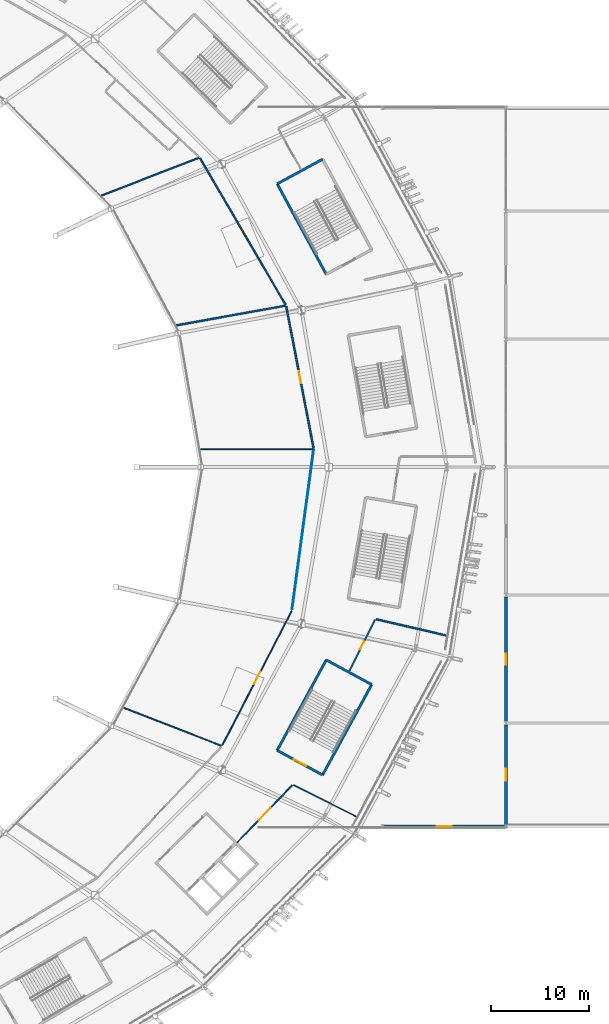
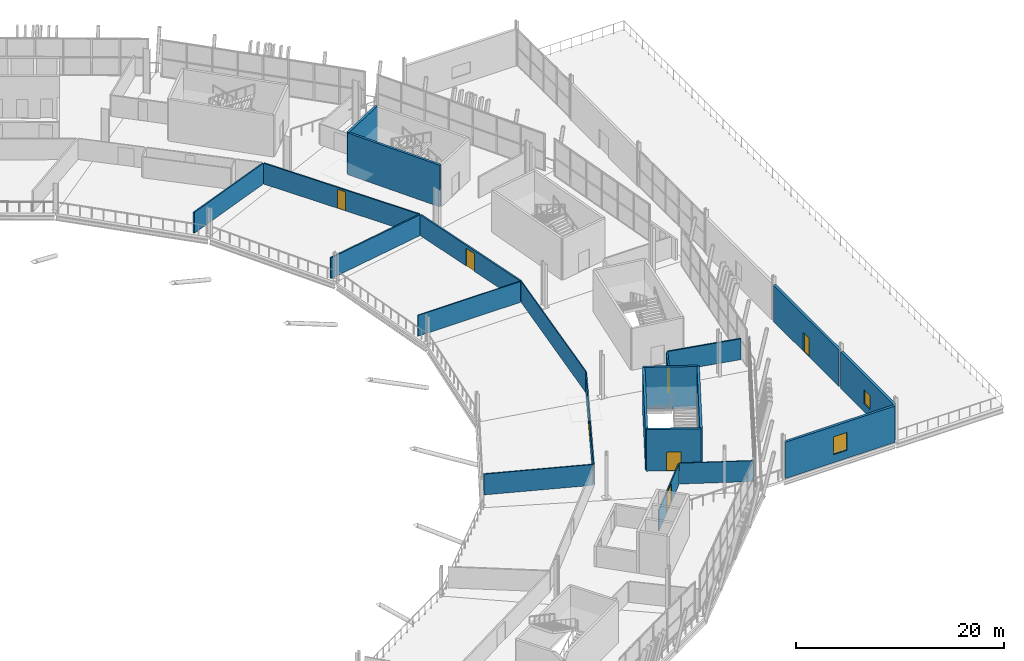
# One storey, part 122 of 168: 21 walls, 7 doors, 2 windows, 9 openings.
"""IFC4 building model written with IfcOpenShell, lengths in metres."""

from ifc_helpers import new_model, si_unit, direction, frame, frame_2d, origin, place, context, subcontext, project, spatial, rectangle, extrude, material, layer, layer_set, type_object, element, fill, save


model = new_model("IFC4")

# Units and contexts
model_context = context("Model", 3, precision=1e-05, world=origin(), true_north=direction((0.0, 1.0)))
body_context = subcontext(model_context, "Body", "Model", "MODEL_VIEW")
ifc_project = project(units=[si_unit("LENGTHUNIT", "METRE"), si_unit("AREAUNIT", "SQUARE_METRE"), si_unit("VOLUMEUNIT", "CUBIC_METRE"), si_unit("PLANEANGLEUNIT", "RADIAN"), si_unit("MASSUNIT", "GRAM", prefix="KILO")], contexts=[model_context])

# Site, building, storey
site_placement = place(None, origin())
site = spatial("IfcSite", under=ifc_project, at=site_placement, CompositionType="ELEMENT")
building_placement = place(site_placement, origin())
building = spatial("IfcBuilding", under=site, at=building_placement, Name="Zlatoyarsky Gate Stadium", CompositionType="ELEMENT")
storey_placement = place(building_placement, frame((0.0, 0.0, 15.60009765625)))
storey = spatial("IfcBuildingStorey", under=building, at=storey_placement, Name="L03", CompositionType="ELEMENT", Elevation=15.60009765625)

# Wall, opening, door
ifc_material_1 = material(Name="Double-stud acoustic gypsum partition", Category="gypsum")
ifc_layer_1 = layer(ifc_material_1, 0.169921875)
ifc_layer_set_1 = layer_set([ifc_layer_1], Name="Double-stud acoustic gypsum partition")
wall_type_1 = type_object("IfcWallType", Name="ACOUSTIC BROADCAST STUDIO WALL 170", PredefinedType="PARTITIONING", material=ifc_layer_set_1)
wall_1_placement = place(storey_placement, frame((190.46728515625, 81.90625, 0.0), z_axis=(0.0, 0.0, 1.0), x_axis=(-0.189225499552, 0.981933658818, 0.0)))
wall_1 = element("IfcWall", 1, at=wall_1_placement, inside=storey, type_object=wall_type_1, Name="L03 interior partition PRT-L03-ICC-00", PredefinedType="PARTITIONING", context=body_context, shape_type="SweptSolid", body=[
    extrude(rectangle(XDim=14.679931640625, YDim=0.169921875, at=frame_2d((7.33984375, 0.0))), origin(), (0.0, 0.0, 1.0), 2.449951171875),
])
opening_1_placement = place(wall_1_placement, frame((6.719970703125, 0.0, 0.0)))
opening_1 = element("IfcOpeningElement", 2, at=opening_1_placement, cuts=wall_1, Name="Opening D-L03-390", PredefinedType="OPENING", context=body_context, shape_type="SweptSolid", body=[
    extrude(rectangle(XDim=1.239990234375, YDim=2.10009765625, at=frame_2d((0.6201171875, 1.050048828125))), frame((0.0, 0.094970703125, 0.0), z_axis=(0.0, -1.0, 0.0), x_axis=(1.0, 0.0, 0.0)), (0.0, 0.0, 1.0), 0.18994140625),
])
ifc_material_2 = material(Name="Powder-coated steel fire door", Category="steel")
door_type_1 = type_object("IfcDoorType", Name="ACOUSTIC INTERIOR DOOR 1240X2100", OperationType="NOTDEFINED", PredefinedType="DOOR", material=ifc_material_2)
door_1_placement = place(opening_1_placement, origin())
door_1 = element("IfcDoor", 3, at=door_1_placement, inside=storey, type_object=door_type_1, Name="L03 room door D-L03-390", OperationType="SINGLE_SWING_RIGHT", OverallHeight=2.10009765625, OverallWidth=1.239990234375, PredefinedType="DOOR", context=body_context, shape_type="SweptSolid", body=[
    extrude(rectangle(XDim=1.239990234375, YDim=2.10009765625, at=frame_2d((0.6201171875, 1.050048828125))), frame((0.0, 0.02490234375, 0.0), z_axis=(0.0, -1.0, 0.0), x_axis=(1.0, 0.0, 0.0)), (0.0, 0.0, 1.0), 0.050048828125),
])
fill(opening_1, door_1)

wall_2_placement = place(storey_placement, frame((194.10205078125, 59.2939453125, 0.0), z_axis=(0.0, 0.0, 1.0), x_axis=(0.44637403409, 0.894846479397, 0.0)))
wall_2 = element("IfcWall", 4, at=wall_2_placement, inside=storey, type_object=wall_type_1, Name="L03 interior partition PRT-L03-OCC-22-1", PredefinedType="PARTITIONING", context=body_context, shape_type="SweptSolid", body=[
    extrude(rectangle(XDim=5.8173828125, YDim=0.169921875, at=frame_2d((2.90869140625, 0.0))), origin(), (0.0, 0.0, 1.0), 2.449951171875),
])
opening_2_placement = place(wall_2_placement, frame((2.458740234375, 0.0, 0.0)))
opening_2 = element("IfcOpeningElement", 5, at=opening_2_placement, cuts=wall_2, Name="Opening D-L03-490", PredefinedType="OPENING", context=body_context, shape_type="SweptSolid", body=[
    extrude(rectangle(XDim=0.89990234375, YDim=2.239990234375, at=frame_2d((0.449951171875, 1.1201171875))), frame((0.0, 0.094970703125, 0.0), z_axis=(0.0, -1.0, 0.0), x_axis=(1.0, 0.0, 0.0)), (0.0, 0.0, 1.0), 0.18994140625),
])
door_type_2 = type_object("IfcDoorType", Name="ACOUSTIC INTERIOR DOOR 900X2240", OperationType="NOTDEFINED", PredefinedType="DOOR", material=ifc_material_2)
door_2_placement = place(opening_2_placement, origin())
door_2 = element("IfcDoor", 6, at=door_2_placement, inside=storey, type_object=door_type_2, Name="L03 room door D-L03-490", OperationType="SINGLE_SWING_RIGHT", OverallHeight=2.239990234375, OverallWidth=0.89990234375, PredefinedType="DOOR", context=body_context, shape_type="SweptSolid", body=[
    extrude(rectangle(XDim=0.89990234375, YDim=2.239990234375, at=frame_2d((0.449951171875, 1.1201171875))), frame((0.0, 0.02490234375, 0.0), z_axis=(0.0, -1.0, 0.0), x_axis=(1.0, 0.0, 0.0)), (0.0, 0.0, 1.0), 0.050048828125),
])
fill(opening_2, door_2)

# Wall
ifc_material_3 = material(Name="Anodised aluminium acoustic operable wall", Category="aluminium")
ifc_layer_2 = layer(ifc_material_3, 0.114990234375)
ifc_layer_set_2 = layer_set([ifc_layer_2], Name="Anodised aluminium acoustic operable wall")
wall_type_2 = type_object("IfcWallType", Name="ACOUSTIC OPERABLE SUITE WALL 115", PredefinedType="MOVABLE", material=ifc_layer_set_2)
wall_3_placement = place(storey_placement, frame((178.954345703125, 81.82373046875, 0.0), z_axis=(0.0, 0.0, 1.0), x_axis=(0.999999996359, -8.5333333e-05, 0.0)))
element("IfcWall", 7, at=wall_3_placement, inside=storey, type_object=wall_type_2, Name="L03 interior partition PRT-L03-IRD-00", PredefinedType="MOVABLE", context=body_context, shape_type="SweptSolid", body=[
    extrude(rectangle(XDim=11.444091796875, YDim=0.114990234375, at=frame_2d((5.72216796875, 0.0))), origin(), (0.0, 0.0, 1.0), 2.449951171875),
])

# Wall, opening, door
wall_4_placement = place(storey_placement, frame((182.705078125, 41.881103515625, 0.0), z_axis=(0.0, 0.0, 1.0), x_axis=(0.692855454803, 0.721076499928, 0.0)))
wall_4 = element("IfcWall", 8, at=wall_4_placement, inside=storey, type_object=wall_type_2, Name="L03 interior partition PRT-L03-OCC-21-1", PredefinedType="MOVABLE", context=body_context, shape_type="SweptSolid", body=[
    extrude(rectangle(XDim=8.05419921875, YDim=0.114990234375, at=frame_2d((4.027099609375, 0.0))), origin(), (0.0, 0.0, 1.0), 2.449951171875),
])
opening_3_placement = place(wall_4_placement, frame((3.18701171875, 0.0, 0.0)))
opening_3 = element("IfcOpeningElement", 9, at=opening_3_placement, cuts=wall_4, Name="Opening D-L03-488", PredefinedType="OPENING", context=body_context, shape_type="SweptSolid", body=[
    extrude(rectangle(XDim=1.679931640625, YDim=2.239990234375, at=frame_2d((0.83984375, 1.1201171875))), frame((0.0, 0.0673828125, 0.0), z_axis=(0.0, -1.0, 0.0), x_axis=(1.0, 0.0, 0.0)), (0.0, 0.0, 1.0), 0.135009765625),
])
ifc_material_4 = material(Name="Solid-core oak veneer acoustic door", Category="wood")
door_type_3 = type_object("IfcDoorType", Name="ACOUSTIC INTERIOR DOOR 1680X2240", OperationType="NOTDEFINED", PredefinedType="DOOR", material=ifc_material_4)
door_3_placement = place(opening_3_placement, origin())
door_3 = element("IfcDoor", 10, at=door_3_placement, inside=storey, type_object=door_type_3, Name="L03 room door D-L03-488", OperationType="SINGLE_SWING_LEFT", OverallHeight=2.239990234375, OverallWidth=1.679931640625, PredefinedType="DOOR", context=body_context, shape_type="SweptSolid", body=[
    extrude(rectangle(XDim=1.679931640625, YDim=2.239990234375, at=frame_2d((0.83984375, 1.1201171875))), frame((0.0, 0.02490234375, 0.0), z_axis=(0.0, -1.0, 0.0), x_axis=(1.0, 0.0, 0.0)), (0.0, 0.0, 1.0), 0.050048828125),
])
fill(opening_3, door_3)

# Wall
ifc_material_5 = material(Name="Moisture-resistant masonry partition", Category="masonry")
ifc_layer_3 = layer(ifc_material_5, 0.139892578125)
ifc_layer_set_3 = layer_set([ifc_layer_3], Name="Moisture-resistant masonry partition")
wall_type_3 = type_object("IfcWallType", Name="ATHLETE CHANGING BLOCK PARTITION 140", PredefinedType="PARTITIONING", material=ifc_layer_set_3)
wall_5_placement = place(storey_placement, frame((168.927001953125, 107.576904296875, 0.0), z_axis=(0.0, 0.0, 1.0), x_axis=(0.932330284632, 0.361607854393, 0.0)))
element("IfcWall", 11, at=wall_5_placement, inside=storey, type_object=wall_type_3, Name="L03 interior partition PRT-L03-IRD-02", PredefinedType="PARTITIONING", context=body_context, shape_type="SweptSolid", body=[
    extrude(rectangle(XDim=10.611328125, YDim=0.139892578125, at=frame_2d((5.3056640625, 0.0))), origin(), (0.0, 0.0, 1.0), 2.449951171875),
])

# Wall, opening, door
ifc_material_6 = material(Name="Metal-stud gypsum partition", Category="gypsum")
ifc_layer_4 = layer(ifc_material_6, 0.14990234375)
ifc_layer_set_4 = layer_set([ifc_layer_4], Name="Metal-stud gypsum partition")
wall_type_4 = type_object("IfcWallType", Name="CONCOURSE CORRIDOR PARTITION 150", PredefinedType="PARTITIONING", material=ifc_layer_set_4)
wall_6_placement = place(storey_placement, frame((187.630615234375, 96.477783203125, 0.0), z_axis=(0.0, 0.0, 1.0), x_axis=(-0.50388511134, 0.863770684019, 0.0)))
wall_6 = element("IfcWall", 12, at=wall_6_placement, inside=storey, type_object=wall_type_4, Name="L03 interior partition PRT-L03-ICC-01", PredefinedType="PARTITIONING", context=body_context, shape_type="SweptSolid", body=[
    extrude(rectangle(XDim=17.242431640625, YDim=0.14990234375, at=frame_2d((8.62109375, 0.0))), origin(), (0.0, 0.0, 1.0), 2.449951171875),
])
opening_4_placement = place(wall_6_placement, frame((8.171142578125, 0.0, 0.0)))
opening_4 = element("IfcOpeningElement", 13, at=opening_4_placement, cuts=wall_6, Name="Opening D-L03-392", PredefinedType="OPENING", context=body_context, shape_type="SweptSolid", body=[
    extrude(rectangle(XDim=0.89990234375, YDim=2.239990234375, at=frame_2d((0.449951171875, 1.1201171875))), frame((0.0, 0.0849609375, 0.0), z_axis=(0.0, -1.0, 0.0), x_axis=(1.0, 0.0, 0.0)), (0.0, 0.0, 1.0), 0.169921875),
])
door_4_placement = place(opening_4_placement, origin())
door_4 = element("IfcDoor", 14, at=door_4_placement, inside=storey, type_object=door_type_2, Name="L03 room door D-L03-392", OperationType="SINGLE_SWING_LEFT", OverallHeight=2.239990234375, OverallWidth=0.89990234375, PredefinedType="DOOR", context=body_context, shape_type="SweptSolid", body=[
    extrude(rectangle(XDim=0.89990234375, YDim=2.239990234375, at=frame_2d((0.449951171875, 1.1201171875))), frame((0.0, 0.02490234375, 0.0), z_axis=(0.0, -1.0, 0.0), x_axis=(1.0, 0.0, 0.0)), (0.0, 0.0, 1.0), 0.050048828125),
])
fill(opening_4, door_4)

ifc_material_7 = material(Name="Concrete C40/50", Category="concrete")
ifc_layer_5 = layer(ifc_material_7, 0.25)
ifc_layer_set_5 = layer_set([ifc_layer_5], Name="Concrete C40/50")
wall_type_5 = type_object("IfcWallType", Name="CONCRETE STAIR CORE SHEAR WALL 250", PredefinedType="SHEAR", material=ifc_layer_set_5)
wall_7_placement = place(storey_placement, frame((186.770263671875, 51.235107421875, 0.0), z_axis=(0.0, 0.0, 1.0), x_axis=(0.878941993928, -0.476928685769, 0.0)))
wall_7 = element("IfcWall", 15, at=wall_7_placement, inside=storey, type_object=wall_type_5, Name="ST-12 L03 stair core entrance shear wall", PredefinedType="SHEAR", context=body_context, shape_type="SweptSolid", body=[
    extrude(rectangle(XDim=5.25, YDim=0.25, at=frame_2d((2.625, 0.0))), origin(), (0.0, 0.0, 1.0), 4.89990234375),
])
opening_5_placement = place(wall_7_placement, frame((1.925048828125, 0.0, 0.0)))
opening_5 = element("IfcOpeningElement", 16, at=opening_5_placement, cuts=wall_7, Name="Opening SD-ST-12-L03", PredefinedType="OPENING", context=body_context, shape_type="SweptSolid", body=[
    extrude(rectangle(XDim=1.39990234375, YDim=2.199951171875, at=frame_2d((0.699951171875, 1.10009765625))), frame((0.0, 0.135009765625, 0.0), z_axis=(0.0, -1.0, 0.0), x_axis=(1.0, 0.0, 0.0)), (0.0, 0.0, 1.0), 0.27001953125),
])
door_type_4 = type_object("IfcDoorType", Name="STAIR CORE FIRE EXIT DOOR 1400X2200", OperationType="NOTDEFINED", PredefinedType="DOOR", material=ifc_material_2)
door_5_placement = place(opening_5_placement, frame((1.39990234375, 0.0, 0.0), z_axis=(0.0, 0.0, 1.0), x_axis=(-1.0, 0.0, 0.0)))
door_5 = element("IfcDoor", 17, at=door_5_placement, inside=storey, type_object=door_type_4, Name="ST-12 L03 stair fire door", OperationType="SINGLE_SWING_RIGHT", OverallHeight=2.199951171875, OverallWidth=1.39990234375, PredefinedType="DOOR", context=body_context, shape_type="SweptSolid", body=[
    extrude(rectangle(XDim=1.39990234375, YDim=2.199951171875, at=frame_2d((0.699951171875, 1.10009765625))), frame((0.0, 0.02490234375, 0.0), z_axis=(0.0, -1.0, 0.0), x_axis=(1.0, 0.0, 0.0)), (0.0, 0.0, 1.0), 0.050048828125),
])
fill(opening_5, door_5)

# Walls
wall_8_placement = place(storey_placement, frame((191.384765625, 48.731201171875, 0.0), z_axis=(0.0, 0.0, 1.0), x_axis=(0.476876856974, 0.878970115125, 0.0)))
element("IfcWall", 18, at=wall_8_placement, inside=storey, type_object=wall_type_5, Name="ST-12 L03 stair core left shear wall", PredefinedType="SHEAR", context=body_context, shape_type="SweptSolid", body=[
    extrude(rectangle(XDim=10.4501953125, YDim=0.25, at=frame_2d((5.22509765625, 0.0))), origin(), (0.0, 0.0, 1.0), 4.89990234375),
])
wall_9_placement = place(storey_placement, frame((196.3681640625, 57.91650390625, 0.0), z_axis=(0.0, 0.0, 1.0), x_axis=(-0.878961487093, 0.47689275965, 0.0)))
element("IfcWall", 19, at=wall_9_placement, inside=storey, type_object=wall_type_5, Name="ST-12 L03 stair core far shear wall", PredefinedType="SHEAR", context=body_context, shape_type="SweptSolid", body=[
    extrude(rectangle(XDim=5.25, YDim=0.25, at=frame_2d((2.625, 0.0))), origin(), (0.0, 0.0, 1.0), 4.89990234375),
])
wall_10_placement = place(storey_placement, frame((191.753662109375, 60.420166015625, 0.0), z_axis=(0.0, 0.0, 1.0), x_axis=(-0.476886649814, -0.878964802042, 0.0)))
element("IfcWall", 20, at=wall_10_placement, inside=storey, type_object=wall_type_5, Name="ST-12 L03 stair core right shear wall", PredefinedType="SHEAR", context=body_context, shape_type="SweptSolid", body=[
    extrude(rectangle(XDim=10.449951171875, YDim=0.25, at=frame_2d((5.22509765625, 0.0))), origin(), (0.0, 0.0, 1.0), 4.89990234375),
])
wall_11_placement = place(storey_placement, frame((191.384765625, 111.268798828125, 0.0), z_axis=(0.0, 0.0, 1.0), x_axis=(-0.878961487093, -0.47689275965, 0.0)))
element("IfcWall", 21, at=wall_11_placement, inside=storey, type_object=wall_type_5, Name="ST-13 L03 stair core far shear wall", PredefinedType="SHEAR", context=body_context, shape_type="SweptSolid", body=[
    extrude(rectangle(XDim=5.25, YDim=0.25, at=frame_2d((2.625, 0.0))), origin(), (0.0, 0.0, 1.0), 4.89990234375),
])
wall_12_placement = place(storey_placement, frame((186.770263671875, 108.76513671875, 0.0), z_axis=(0.0, 0.0, 1.0), x_axis=(0.476876856974, -0.878970115125, 0.0)))
element("IfcWall", 22, at=wall_12_placement, inside=storey, type_object=wall_type_5, Name="ST-13 L03 stair core right shear wall", PredefinedType="SHEAR", context=body_context, shape_type="SweptSolid", body=[
    extrude(rectangle(XDim=10.4501953125, YDim=0.25, at=frame_2d((5.22509765625, 0.0))), origin(), (0.0, 0.0, 1.0), 4.89990234375),
])
ifc_material_8 = material(Name="Timber-veneered acoustic operable partition", Category="wood")
ifc_layer_6 = layer(ifc_material_8, 0.094970703125)
ifc_layer_set_6 = layer_set([ifc_layer_6], Name="Timber-veneered acoustic operable partition")
wall_type_6 = type_object("IfcWallType", Name="FOLDING BANQUET SALON WALL 95", PredefinedType="MOVABLE", material=ifc_layer_set_6)
wall_13_placement = place(storey_placement, frame((188.42041015625, 47.7119140625, 0.0), z_axis=(0.0, 0.0, 1.0), x_axis=(0.89392388707, -0.448218790465, 0.0)))
element("IfcWall", 23, at=wall_13_placement, inside=storey, type_object=wall_type_6, Name="L03 interior partition PRT-L03-ORD-21R", PredefinedType="MOVABLE", context=body_context, shape_type="SweptSolid", body=[
    extrude(rectangle(XDim=7.187255859375, YDim=0.094970703125, at=frame_2d((3.59375, 0.0))), origin(), (0.0, 0.0, 1.0), 2.449951171875),
])
ifc_material_9 = material(Name="Acoustic metal-stud gypsum partition", Category="gypsum")
ifc_layer_7 = layer(ifc_material_9, 0.159912109375)
ifc_layer_set_7 = layer_set([ifc_layer_7], Name="Acoustic metal-stud gypsum partition")
wall_type_7 = type_object("IfcWallType", Name="HOSPITALITY SUITE PARTITION 160", PredefinedType="PARTITIONING", material=ifc_layer_set_7)
wall_14_placement = place(storey_placement, frame((176.538818359375, 94.398681640625, 0.0), z_axis=(0.0, 0.0, 1.0), x_axis=(0.984158749796, 0.177289467255, 0.0)))
element("IfcWall", 24, at=wall_14_placement, inside=storey, type_object=wall_type_7, Name="L03 interior partition PRT-L03-IRD-01", PredefinedType="PARTITIONING", context=body_context, shape_type="SweptSolid", body=[
    extrude(rectangle(XDim=11.228759765625, YDim=0.159912109375, at=frame_2d((5.6142578125, 0.0))), origin(), (0.0, 0.0, 1.0), 2.449951171875),
])
wall_15_placement = place(storey_placement, frame((196.8193359375, 64.556396484375, 0.0), z_axis=(0.0, 0.0, 1.0), x_axis=(0.973969408775, -0.22667948908, 0.0)))
element("IfcWall", 25, at=wall_15_placement, inside=storey, type_object=wall_type_7, Name="L03 interior partition PRT-L03-ORD-22R", PredefinedType="PARTITIONING", context=body_context, shape_type="SweptSolid", body=[
    extrude(rectangle(XDim=7.36572265625, YDim=0.159912109375, at=frame_2d((3.682861328125, 0.0))), origin(), (0.0, 0.0, 1.0), 2.449951171875),
])

# Wall, opening, window
ifc_material_10 = material(Name="Limestone-faced insulated masonry wall", Category="masonry")
ifc_layer_8 = layer(ifc_material_10, 0.300048828125)
ifc_layer_set_8 = layer_set([ifc_layer_8], Name="Limestone-faced insulated masonry wall")
wall_type_8 = type_object("IfcWallType", Name="INSULATED PAVILION FACADE WALL 300", PredefinedType="STANDARD", material=ifc_layer_set_8)
wall_16_placement = place(storey_placement, frame((210.0, 43.677001953125, 0.0), z_axis=(0.0, 0.0, 1.0), x_axis=(0.0, 1.0, 0.0)))
wall_16 = element("IfcWall", 26, at=wall_16_placement, inside=storey, type_object=wall_type_8, Name="V5_EAST L03 E_HI exterior wall", PredefinedType="STANDARD", context=body_context, shape_type="SweptSolid", body=[
    extrude(rectangle(XDim=10.14599609375, YDim=0.300048828125, at=frame_2d((5.072998046875, 0.0))), origin(), (0.0, 0.0, 1.0), 4.27978515625),
])
opening_6_placement = place(wall_16_placement, frame((4.472900390625, 0.0, 0.949951171875)))
opening_6 = element("IfcOpeningElement", 27, at=opening_6_placement, cuts=wall_16, Name="Opening WN-02", PredefinedType="OPENING", context=body_context, shape_type="SweptSolid", body=[
    extrude(rectangle(XDim=1.199951171875, YDim=1.60009765625, at=frame_2d((0.60009765625, 0.800048828125))), frame((0.0, 0.159912109375, 0.0), z_axis=(0.0, -1.0, 0.0), x_axis=(1.0, 0.0, 0.0)), (0.0, 0.0, 1.0), 0.320068359375),
])
ifc_material_11 = material(Name="Triple-glazed thermally broken aluminium window", Category="aluminium")
window_type_1 = type_object("IfcWindowType", Name="TRIPLE GLAZED ALUMINIUM WINDOW 1200X1600", PartitioningType="SINGLE_PANEL", PredefinedType="WINDOW", material=ifc_material_11)
window_1_placement = place(opening_6_placement, origin())
window_1 = element("IfcWindow", 28, at=window_1_placement, inside=storey, type_object=window_type_1, Name="Exterior window WIN-L03-058", OverallHeight=1.60009765625, OverallWidth=1.199951171875, PartitioningType="SINGLE_PANEL", PredefinedType="WINDOW", context=body_context, shape_type="SweptSolid", body=[
    extrude(rectangle(XDim=1.199951171875, YDim=1.60009765625, at=frame_2d((0.60009765625, 0.800048828125))), frame((0.0, 0.030029296875, 0.0), z_axis=(0.0, -1.0, 0.0), x_axis=(1.0, 0.0, 0.0)), (0.0, 0.0, 1.0), 0.06005859375),
])
fill(opening_6, window_1)

# Wall, opening, door
ifc_material_12 = material(Name="Precast concrete C40/50 architectural panel", Category="concrete")
ifc_layer_9 = layer(ifc_material_12, 0.280029296875)
ifc_layer_set_9 = layer_set([ifc_layer_9], Name="Precast concrete C40/50 architectural panel")
wall_type_9 = type_object("IfcWallType", Name="INSULATED WING SPANDREL WALL 280", PredefinedType="STANDARD", material=ifc_layer_set_9)
wall_17_placement = place(storey_placement, frame((210.0, 54.177001953125, 0.0), z_axis=(0.0, 0.0, 1.0), x_axis=(0.0, 1.0, 0.0)))
wall_17 = element("IfcWall", 29, at=wall_17_placement, inside=storey, type_object=wall_type_9, Name="V5_EAST L03 E_HI exterior wall", PredefinedType="STANDARD", context=body_context, shape_type="SweptSolid", body=[
    extrude(rectangle(XDim=12.64599609375, YDim=0.280029296875, at=frame_2d((6.322998046875, 0.0))), origin(), (0.0, 0.0, 1.0), 4.27978515625),
])
opening_7_placement = place(wall_17_placement, frame((5.77294921875, 0.0, 0.0)))
opening_7 = element("IfcOpeningElement", 30, at=opening_7_placement, cuts=wall_17, Name="Opening TD-03", PredefinedType="OPENING", context=body_context, shape_type="SweptSolid", body=[
    extrude(rectangle(XDim=1.10009765625, YDim=2.199951171875, at=frame_2d((0.550048828125, 1.10009765625))), frame((0.0, 0.14990234375, 0.0), z_axis=(0.0, -1.0, 0.0), x_axis=(1.0, 0.0, 0.0)), (0.0, 0.0, 1.0), 0.300048828125),
])
ifc_material_13 = material(Name="Thermally broken powder-coated steel and laminated safety glass", Category="steel")
door_type_5 = type_object("IfcDoorType", Name="TERRACE ESCAPE SINGLE DOOR 1100X2200", OperationType="SINGLE_SWING_LEFT", PredefinedType="DOOR", material=ifc_material_13)
door_6_placement = place(opening_7_placement, frame((1.10009765625, 0.0, 0.0), z_axis=(0.0, 0.0, 1.0), x_axis=(-1.0, 0.0, 0.0)))
door_6 = element("IfcDoor", 31, at=door_6_placement, inside=storey, type_object=door_type_5, Name="Exterior door TD-03", OperationType="SINGLE_SWING_LEFT", OverallHeight=2.199951171875, OverallWidth=1.10009765625, PredefinedType="DOOR", context=body_context, shape_type="SweptSolid", body=[
    extrude(rectangle(XDim=1.10009765625, YDim=2.199951171875, at=frame_2d((0.550048828125, 1.10009765625))), frame((0.0, 0.02490234375, 0.0), z_axis=(0.0, -1.0, 0.0), x_axis=(1.0, 0.0, 0.0)), (0.0, 0.0, 1.0), 0.050048828125),
])
fill(opening_7, door_6)

# Wall, opening, window
wall_18_placement = place(storey_placement, frame((197.64697265625, 43.5, 0.0), z_axis=(0.0, 0.0, 1.0), x_axis=(1.0, 0.0, 0.0)))
wall_18 = element("IfcWall", 32, at=wall_18_placement, inside=storey, type_object=wall_type_9, Name="V5_EAST L03 S exterior wall", PredefinedType="STANDARD", context=body_context, shape_type="SweptSolid", body=[
    extrude(rectangle(XDim=12.2060546875, YDim=0.280029296875, at=frame_2d((6.10302734375, 0.0))), origin(), (0.0, 0.0, 1.0), 4.27978515625),
])
opening_8_placement = place(wall_18_placement, frame((5.35302734375, 0.0, 0.949951171875)))
opening_8 = element("IfcOpeningElement", 33, at=opening_8_placement, cuts=wall_18, Name="Opening WN-08", PredefinedType="OPENING", context=body_context, shape_type="SweptSolid", body=[
    extrude(rectangle(XDim=1.5, YDim=2.10009765625, at=frame_2d((0.75, 1.050048828125))), frame((0.0, 0.14990234375, 0.0), z_axis=(0.0, -1.0, 0.0), x_axis=(1.0, 0.0, 0.0)), (0.0, 0.0, 1.0), 0.300048828125),
])
window_type_2 = type_object("IfcWindowType", Name="TRIPLE GLAZED ALUMINIUM WINDOW 1500X2100", PartitioningType="SINGLE_PANEL", PredefinedType="WINDOW", material=ifc_material_11)
window_2_placement = place(opening_8_placement, origin())
window_2 = element("IfcWindow", 34, at=window_2_placement, inside=storey, type_object=window_type_2, Name="Exterior window WIN-L03-064", OverallHeight=2.10009765625, OverallWidth=1.5, PartitioningType="SINGLE_PANEL", PredefinedType="WINDOW", context=body_context, shape_type="SweptSolid", body=[
    extrude(rectangle(XDim=1.5, YDim=2.10009765625, at=frame_2d((0.75, 1.050048828125))), frame((0.0, 0.030029296875, 0.0), z_axis=(0.0, -1.0, 0.0), x_axis=(1.0, 0.0, 0.0)), (0.0, 0.0, 1.0), 0.06005859375),
])
fill(opening_8, window_2)

# Wall, opening, door
ifc_layer_10 = layer(ifc_material_6, 0.110107421875)
ifc_layer_set_10 = layer_set([ifc_layer_10], Name="Metal-stud gypsum partition")
wall_type_10 = type_object("IfcWallType", Name="KIOSK SERVICE PARTITION 110", PredefinedType="PARTITIONING", material=ifc_layer_set_10)
wall_19_placement = place(storey_placement, frame((181.20263671875, 51.756103515625, 0.0), z_axis=(0.0, 0.0, 1.0), x_axis=(0.458369031368, 0.888761965367, 0.0)))
wall_19 = element("IfcWall", 35, at=wall_19_placement, inside=storey, type_object=wall_type_10, Name="L03 interior partition PRT-L03-ICC-22", PredefinedType="PARTITIONING", context=body_context, shape_type="SweptSolid", body=[
    extrude(rectangle(XDim=15.350341796875, YDim=0.110107421875, at=frame_2d((7.67529296875, 0.0))), origin(), (0.0, 0.0, 1.0), 2.449951171875),
])
opening_9_placement = place(wall_19_placement, frame((6.955078125, 0.0, 0.0)))
opening_9 = element("IfcOpeningElement", 36, at=opening_9_placement, cuts=wall_19, Name="Opening D-L03-446", PredefinedType="OPENING", context=body_context, shape_type="SweptSolid", body=[
    extrude(rectangle(XDim=1.43994140625, YDim=2.239990234375, at=frame_2d((0.719970703125, 1.1201171875))), frame((0.0, 0.06494140625, 0.0), z_axis=(0.0, -1.0, 0.0), x_axis=(1.0, 0.0, 0.0)), (0.0, 0.0, 1.0), 0.130126953125),
])
door_type_6 = type_object("IfcDoorType", Name="ACOUSTIC INTERIOR DOOR 1440X2240", OperationType="NOTDEFINED", PredefinedType="DOOR", material=ifc_material_4)
door_7_placement = place(opening_9_placement, origin())
door_7 = element("IfcDoor", 37, at=door_7_placement, inside=storey, type_object=door_type_6, Name="L03 room door D-L03-446", OperationType="SINGLE_SWING_RIGHT", OverallHeight=2.239990234375, OverallWidth=1.43994140625, PredefinedType="DOOR", context=body_context, shape_type="SweptSolid", body=[
    extrude(rectangle(XDim=1.43994140625, YDim=2.239990234375, at=frame_2d((0.719970703125, 1.1201171875))), frame((0.0, 0.02490234375, 0.0), z_axis=(0.0, -1.0, 0.0), x_axis=(1.0, 0.0, 0.0)), (0.0, 0.0, 1.0), 0.050048828125),
])
fill(opening_9, door_7)

# Walls
ifc_layer_11 = layer(ifc_material_6, 0.10009765625)
ifc_layer_set_11 = layer_set([ifc_layer_11], Name="Metal-stud gypsum partition")
wall_type_11 = type_object("IfcWallType", Name="LIGHT STORAGE PARTITION 100", PredefinedType="PARTITIONING", material=ifc_layer_set_11)
wall_20_placement = place(storey_placement, frame((188.2890625, 65.55859375, 0.0), z_axis=(0.0, 0.0, 1.0), x_axis=(0.133715075634, 0.991019817435, 0.0)))
element("IfcWall", 38, at=wall_20_placement, inside=storey, type_object=wall_type_11, Name="L03 interior partition PRT-L03-ICC-23M", PredefinedType="PARTITIONING", context=body_context, shape_type="SweptSolid", body=[
    extrude(rectangle(XDim=16.32666015625, YDim=0.10009765625, at=frame_2d((8.163330078125, 0.0))), origin(), (0.0, 0.0, 1.0), 2.449951171875),
])
ifc_layer_12 = layer(ifc_material_6, 0.1201171875)
ifc_layer_set_12 = layer_set([ifc_layer_12], Name="Metal-stud gypsum partition")
wall_type_12 = type_object("IfcWallType", Name="OFFICE AND PRESS PARTITION 120", PredefinedType="PARTITIONING", material=ifc_layer_set_12)
wall_21_placement = place(storey_placement, frame((171.164306640625, 55.568115234375, 0.0), z_axis=(0.0, 0.0, 1.0), x_axis=(0.932041256958, -0.362352170309, 0.0)))
element("IfcWall", 39, at=wall_21_placement, inside=storey, type_object=wall_type_12, Name="L03 interior partition PRT-L03-IRD-22", PredefinedType="PARTITIONING", context=body_context, shape_type="SweptSolid", body=[
    extrude(rectangle(XDim=10.6435546875, YDim=0.1201171875, at=frame_2d((5.32177734375, 0.0))), origin(), (0.0, 0.0, 1.0), 2.449951171875),
])

save(model, "model.ifc")
